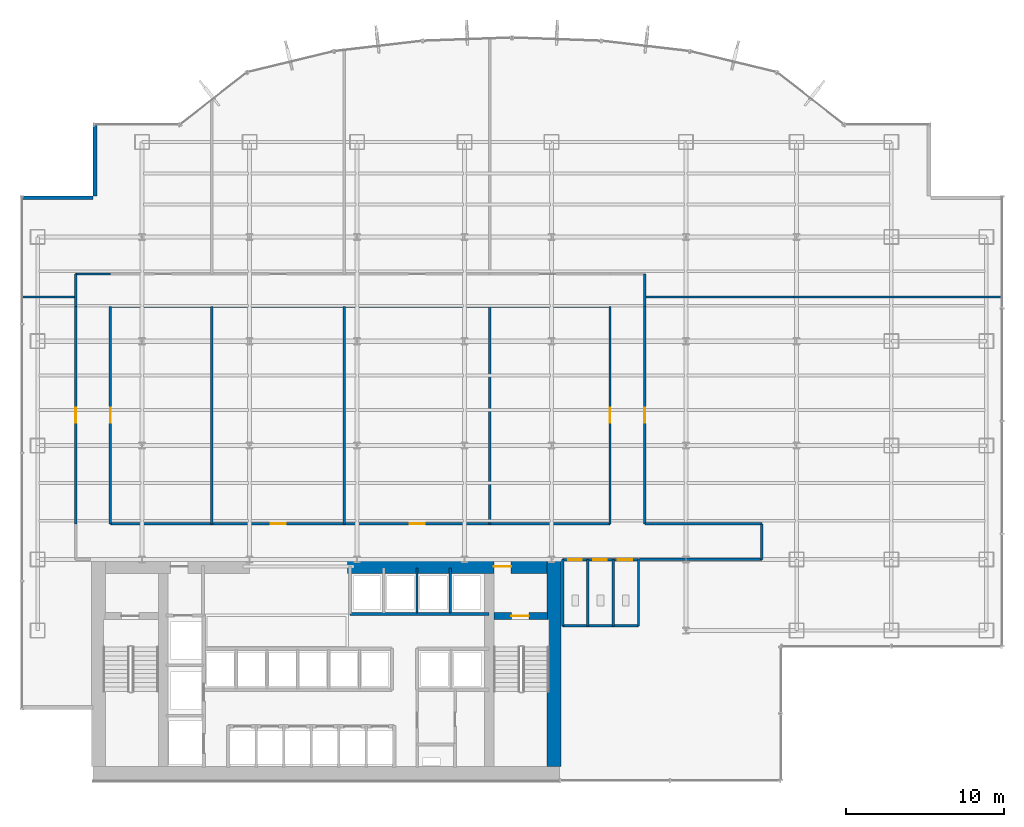
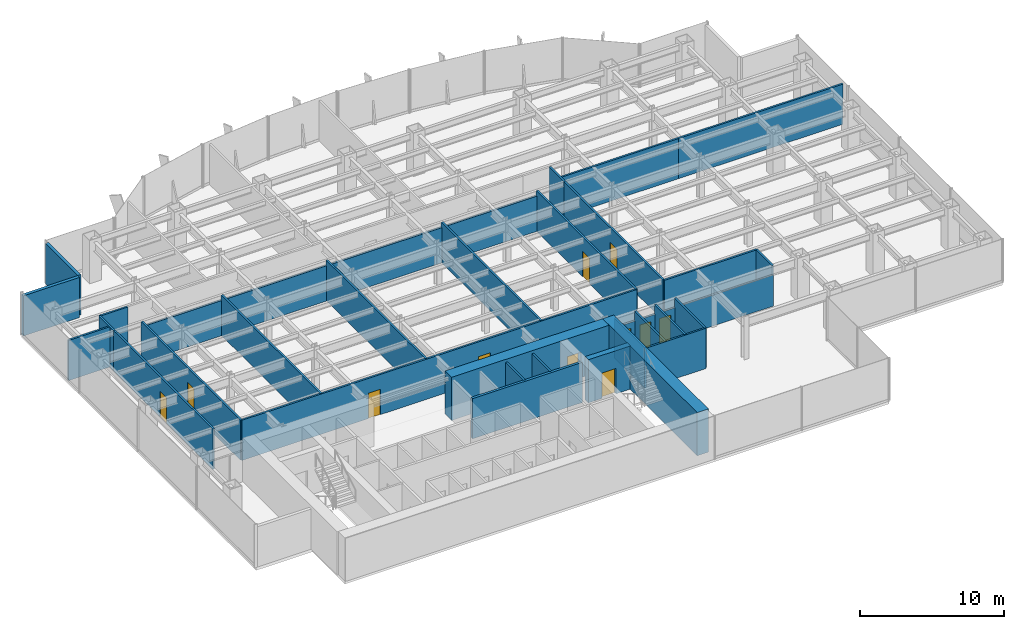
# One storey, part 18 of 22: 32 walls, 11 doors, 11 openings.
"""IFC4 building model written with IfcOpenShell, lengths in metres."""

from ifc_helpers import new_model, si_unit, derived_unit, direction, frame, frame_2d, origin, place, context, subcontext, project, spatial, rectangle, extrude, source, transform, mapped, material, layer, layer_set, type_object, element, fill, save


model = new_model("IFC4")

# Units and contexts
model_context = context("Model", 3, precision=1e-05, world=origin(), true_north=direction((0.0, 1.0)))
body_context = subcontext(model_context, "Body", "Model", "MODEL_VIEW")
ifc_project = project(units=[si_unit("LENGTHUNIT", "METRE"), si_unit("AREAUNIT", "SQUARE_METRE"), si_unit("VOLUMEUNIT", "CUBIC_METRE"), si_unit("PLANEANGLEUNIT", "RADIAN"), si_unit("MASSUNIT", "GRAM", prefix="KILO"), derived_unit("THERMALTRANSMITTANCEUNIT", [(si_unit("POWERUNIT", "WATT"), 1), (si_unit("LENGTHUNIT", "METRE"), -2), (si_unit("THERMODYNAMICTEMPERATUREUNIT", "KELVIN"), -1)])], contexts=[model_context])

# Site, building, storey
site_placement = place(None, origin())
site = spatial("IfcSite", under=ifc_project, at=site_placement, CompositionType="ELEMENT")
building_placement = place(site_placement, origin())
building = spatial("IfcBuilding", under=site, at=building_placement, Name="Skarnbrae Concourse Arena and Tower", CompositionType="ELEMENT")
storey_placement = place(building_placement, frame((0.0, 0.0, 65.35009765625)))
storey = spatial("IfcBuildingStorey", under=building, at=storey_placement, Name="L15", CompositionType="ELEMENT", Elevation=65.35009765625)

# Wall
ifc_material_1 = material(Name="Concrete 70 MPa (C70/85)", Category="concrete")
ifc_layer_1 = layer(ifc_material_1, 0.89990234375)
ifc_layer_set_1 = layer_set([ifc_layer_1], Name="Concrete 70 MPa (C70/85)")
wall_type_1 = type_object("IfcWallType", Name="WALL-CORE-900-C70", PredefinedType="SHEAR", material=ifc_layer_set_1)
shared_shape_1 = source(origin(), body_context, "Body", "SweptSolid", [
    extrude(rectangle(XDim=13.10009765625, YDim=0.89990234375, at=frame_2d((6.550048828125, 0.0))), origin(), (0.0, 0.0, 1.0), 3.64990234375),
])
wall_1_placement = place(storey_placement, frame((33.64990234375, 0.89990234375, 0.0), z_axis=(0.0, 0.0, 1.0), x_axis=(0.0, 1.0, 0.0)))
element("IfcWall", 1, at=wall_1_placement, inside=storey, type_object=wall_type_1, Name="L15 Rear core shear wall CW-E", PredefinedType="SHEAR", context=body_context, shape_type="MappedRepresentation", body=[
    mapped(shared_shape_1, transform((0.0, 0.0, 0.0))),
])

# Wall, opening, door
shared_shape_2 = source(origin(), body_context, "Body", "SweptSolid", [
    extrude(rectangle(XDim=12.599853515625, YDim=0.89990234375, at=frame_2d((6.2998046875, 0.0))), origin(), (0.0, 0.0, 1.0), 3.64990234375),
])
wall_2_placement = place(storey_placement, frame((20.60009765625, 13.550048828125, 0.0), z_axis=(0.0, 0.0, 1.0), x_axis=(1.0, 0.0, 0.0)))
wall_2 = element("IfcWall", 2, at=wall_2_placement, inside=storey, type_object=wall_type_1, Name="L15 Rear core shear wall CW-NE", PredefinedType="SHEAR", context=body_context, shape_type="MappedRepresentation", body=[
    mapped(shared_shape_2, transform((0.0, 0.0, 0.0))),
])
opening_1_placement = place(wall_2_placement, frame((9.25, 0.0, 0.0)))
opening_1 = element("IfcOpeningElement", 3, at=opening_1_placement, cuts=wall_2, Name="Opening DT-03", PredefinedType="OPENING", context=body_context, shape_type="SweptSolid", body=[
    extrude(rectangle(XDim=1.10009765625, YDim=2.14990234375, at=frame_2d((0.550048828125, 1.074951171875))), frame((0.0, 0.4599609375, 0.0), z_axis=(0.0, -1.0, 0.0), x_axis=(1.0, 0.0, 0.0)), (0.0, 0.0, 1.0), 0.919921875),
])
ifc_material_2 = material(Name="Steel CSA G40.21 350W", Category="steel")
door_type_1 = type_object("IfcDoorType", Name="DOOR-FIRE-1100-90M", OperationType="NOTDEFINED", PredefinedType="DOOR", material=ifc_material_2)
shared_shape_3 = source(origin(), body_context, "Body", "SweptSolid", [
    extrude(rectangle(XDim=1.10009765625, YDim=2.14990234375, at=frame_2d((0.550048828125, 1.074951171875))), frame((0.0, 0.02490234375, 0.0), z_axis=(0.0, -1.0, 0.0), x_axis=(1.0, 0.0, 0.0)), (0.0, 0.0, 1.0), 0.050048828125),
])
door_1_placement = place(opening_1_placement, origin())
door_1 = element("IfcDoor", 4, at=door_1_placement, inside=storey, type_object=door_type_1, Name="D-0577 Stair ST-2 Vestibule Door", OperationType="SINGLE_SWING_LEFT", OverallHeight=2.14990234375, OverallWidth=1.10009765625, PredefinedType="DOOR", context=body_context, shape_type="MappedRepresentation", body=[
    mapped(shared_shape_3, transform((0.0, 0.0, 0.0))),
])
fill(opening_1, door_1)

ifc_material_3 = material(Name="Concrete 50 MPa (C50/60)", Category="concrete")
ifc_layer_2 = layer(ifc_material_3, 0.449951171875)
ifc_layer_set_2 = layer_set([ifc_layer_2], Name="Concrete 50 MPa (C50/60)")
wall_type_2 = type_object("IfcWallType", Name="WALL-CORE-450-C50", PredefinedType="SHEAR", material=ifc_layer_set_2)
shared_shape_4 = source(origin(), body_context, "Body", "SweptSolid", [
    extrude(rectangle(XDim=3.389892578125, YDim=0.449951171875, at=frame_2d((1.69482421875, 0.0))), origin(), (0.0, 0.0, 1.0), 3.64990234375),
])
wall_3_placement = place(storey_placement, frame((29.860107421875, 10.419921875, 0.0), z_axis=(0.0, 0.0, 1.0), x_axis=(1.0, 0.0, 0.0)))
wall_3 = element("IfcWall", 5, at=wall_3_placement, inside=storey, type_object=wall_type_2, Name="L15 Rear core shear wall CW-ST2-N", PredefinedType="SHEAR", context=body_context, shape_type="MappedRepresentation", body=[
    mapped(shared_shape_4, transform((0.0, 0.0, 0.0))),
])
opening_2_placement = place(wall_3_placement, frame((1.10009765625, 0.0, 0.0)))
opening_2 = element("IfcOpeningElement", 6, at=opening_2_placement, cuts=wall_3, Name="Opening DT-03", PredefinedType="OPENING", context=body_context, shape_type="SweptSolid", body=[
    extrude(rectangle(XDim=1.10009765625, YDim=2.14990234375, at=frame_2d((0.550048828125, 1.074951171875))), frame((0.0, 0.23486328125, 0.0), z_axis=(0.0, -1.0, 0.0), x_axis=(1.0, 0.0, 0.0)), (0.0, 0.0, 1.0), 0.469970703125),
])
door_2_placement = place(opening_2_placement, frame((1.10009765625, 0.0, 0.0), z_axis=(0.0, 0.0, 1.0), x_axis=(-1.0, 0.0, 0.0)))
door_2 = element("IfcDoor", 7, at=door_2_placement, inside=storey, type_object=door_type_1, Name="D-0575 Stair ST-2 Door", OperationType="SINGLE_SWING_RIGHT", OverallHeight=2.14990234375, OverallWidth=1.10009765625, PredefinedType="DOOR", context=body_context, shape_type="MappedRepresentation", body=[
    mapped(shared_shape_3, transform((0.0, 0.0, 0.0))),
])
fill(opening_2, door_2)

# Walls
ifc_material_4 = material(Name="Precast concrete 40 MPa (C40/50)", Category="concrete")
ifc_layer_3 = layer(ifc_material_4, 0.25)
ifc_layer_set_3 = layer_set([ifc_layer_3], Name="Precast concrete 40 MPa (C40/50)")
wall_type_3 = type_object("IfcWallType", Name="WALL-EXT-SPANDREL-250", PredefinedType="STANDARD", material=ifc_layer_set_3)
shared_shape_5 = source(origin(), body_context, "Body", "SweptSolid", [
    extrude(rectangle(XDim=4.5, YDim=0.25, at=frame_2d((2.25, 0.0))), origin(), (0.0, 0.0, 1.0), 3.39990234375),
])
for number, where, z_axis, x_axis, name in (
    (8, (4.625, 41.5, 0.0), (0.0, 0.0, 1.0), (0.0, -1.0, 0.0), "L15 Notched corner insulated return wall 17"),
    (9, (4.5, 36.875, 0.0), (0.0, 0.0, 1.0), (-1.0, 0.0, 0.0), "L15 Notched corner insulated return wall 18"),
):
    element("IfcWall", number, at=place(storey_placement, frame(where, z_axis=z_axis, x_axis=x_axis)), inside=storey, type_object=wall_type_3, Name=name, PredefinedType="STANDARD", context=body_context, shape_type="MappedRepresentation", body=[
        mapped(shared_shape_5, transform((0.0, 0.0, 0.0))),
    ])
ifc_material_5 = material(Name="Gypsum board on cold-formed steel studs", Category="steel")
ifc_layer_4 = layer(ifc_material_5, 0.199951171875)
ifc_layer_set_4 = layer_set([ifc_layer_4], Name="Gypsum board on cold-formed steel studs")
wall_type_4 = type_object("IfcWallType", Name="WALL-PART-200-2HR", PredefinedType="PARTITIONING", material=ifc_layer_set_4)
shared_shape_6 = source(origin(), body_context, "Body", "SweptSolid", [
    extrude(rectangle(XDim=8.800048828125, YDim=0.199951171875, at=frame_2d((4.39990234375, 0.0))), origin(), (0.0, 0.0, 1.0), 3.39990234375),
])
wall_4_placement = place(storey_placement, frame((20.75, 10.550048828125, 0.0), z_axis=(0.0, 0.0, 1.0), x_axis=(1.0, 0.0, 0.0)))
element("IfcWall", 10, at=wall_4_placement, inside=storey, type_object=wall_type_4, Name="L15 Interior partition wall W-L15-B3N-S", PredefinedType="PARTITIONING", context=body_context, shape_type="MappedRepresentation", body=[
    mapped(shared_shape_6, transform((0.0, 0.0, 0.0))),
])
ifc_layer_5 = layer(ifc_material_5, 0.14990234375)
ifc_layer_set_5 = layer_set([ifc_layer_5], Name="Gypsum board on cold-formed steel studs")
wall_type_5 = type_object("IfcWallType", Name="WALL-PART-150", PredefinedType="PARTITIONING", material=ifc_layer_set_5)
shared_shape_7 = source(origin(), body_context, "Body", "SweptSolid", [
    extrude(rectangle(XDim=2.849853515625, YDim=0.14990234375, at=frame_2d((1.4248046875, 0.0))), origin(), (0.0, 0.0, 1.0), 3.39990234375),
])
for number, where, z_axis, x_axis, name in (
    (11, (24.989990234375, 10.60009765625, 0.0), (0.0, 0.0, 1.0), (0.0, 1.0, 0.0), "L15 Interior partition wall W-L15-B3N-P2"),
    (12, (27.090087890625, 10.60009765625, 0.0), (0.0, 0.0, 1.0), (0.0, 1.0, 0.0), "L15 Interior partition wall W-L15-B3N-P3"),
):
    element("IfcWall", number, at=place(storey_placement, frame(where, z_axis=z_axis, x_axis=x_axis)), inside=storey, type_object=wall_type_5, Name=name, PredefinedType="PARTITIONING", context=body_context, shape_type="MappedRepresentation", body=[
        mapped(shared_shape_7, transform((0.0, 0.0, 0.0))),
    ])

# Wall, openings, doors
shared_shape_8 = source(origin(), body_context, "Body", "SweptSolid", [
    extrude(rectangle(XDim=4.800048828125, YDim=0.14990234375, at=frame_2d((2.39990234375, 0.0))), origin(), (0.0, 0.0, 1.0), 2.625),
])
wall_5_placement = place(storey_placement, frame((34.199951171875, 13.97998046875, 0.0), z_axis=(0.0, 0.0, 1.0), x_axis=(1.0, 0.0, 0.0)))
wall_5 = element("IfcWall", 13, at=wall_5_placement, inside=storey, type_object=wall_type_5, Name="L15 Interior partition wall W-L15-WC-N", PredefinedType="PARTITIONING", context=body_context, shape_type="MappedRepresentation", body=[
    mapped(shared_shape_8, transform((0.0, 0.0, 0.0))),
])
opening_3_placement = place(wall_5_placement, frame((0.35009765625, 0.0, 0.0)))
opening_3 = element("IfcOpeningElement", 14, at=opening_3_placement, cuts=wall_5, Name="Opening DT-06", PredefinedType="OPENING", context=body_context, shape_type="SweptSolid", body=[
    extrude(rectangle(XDim=0.85009765625, YDim=2.10009765625, at=frame_2d((0.425048828125, 1.050048828125))), frame((0.0, 0.0849609375, 0.0), z_axis=(0.0, -1.0, 0.0), x_axis=(1.0, 0.0, 0.0)), (0.0, 0.0, 1.0), 0.169921875),
])
opening_4_placement = place(wall_5_placement, frame((1.949951171875, 0.0, 0.0)))
opening_4 = element("IfcOpeningElement", 15, at=opening_4_placement, cuts=wall_5, Name="Opening DT-06", PredefinedType="OPENING", context=body_context, shape_type="SweptSolid", body=[
    extrude(rectangle(XDim=0.85009765625, YDim=2.10009765625, at=frame_2d((0.425048828125, 1.050048828125))), frame((0.0, 0.0849609375, 0.0), z_axis=(0.0, -1.0, 0.0), x_axis=(1.0, 0.0, 0.0)), (0.0, 0.0, 1.0), 0.169921875),
])
opening_5_placement = place(wall_5_placement, frame((3.5, 0.0, 0.0)))
opening_5 = element("IfcOpeningElement", 16, at=opening_5_placement, cuts=wall_5, Name="Opening DT-05", PredefinedType="OPENING", context=body_context, shape_type="SweptSolid", body=[
    extrude(rectangle(XDim=0.89990234375, YDim=2.10009765625, at=frame_2d((0.449951171875, 1.050048828125))), frame((0.0, 0.0849609375, 0.0), z_axis=(0.0, -1.0, 0.0), x_axis=(1.0, 0.0, 0.0)), (0.0, 0.0, 1.0), 0.169921875),
])
ifc_material_6 = material(Name="Architectural oak veneer timber leaf", Category="wood")
door_type_2 = type_object("IfcDoorType", Name="DOOR-INT-850", OperationType="NOTDEFINED", PredefinedType="DOOR", material=ifc_material_6)
shared_shape_9 = source(origin(), body_context, "Body", "SweptSolid", [
    extrude(rectangle(XDim=0.85009765625, YDim=2.10009765625, at=frame_2d((0.425048828125, 1.050048828125))), frame((0.0, 0.02490234375, 0.0), z_axis=(0.0, -1.0, 0.0), x_axis=(1.0, 0.0, 0.0)), (0.0, 0.0, 1.0), 0.050048828125),
])
door_3_placement = place(opening_3_placement, frame((0.85009765625, 0.0, 0.0), z_axis=(0.0, 0.0, 1.0), x_axis=(-1.0, 0.0, 0.0)))
door_3 = element("IfcDoor", 17, at=door_3_placement, inside=storey, type_object=door_type_2, Name="D-0589 Male Washroom Door", OperationType="SINGLE_SWING_LEFT", OverallHeight=2.10009765625, OverallWidth=0.85009765625, PredefinedType="DOOR", context=body_context, shape_type="MappedRepresentation", body=[
    mapped(shared_shape_9, transform((0.0, 0.0, 0.0))),
])
fill(opening_3, door_3)
door_4_placement = place(opening_4_placement, frame((0.85009765625, 0.0, 0.0), z_axis=(0.0, 0.0, 1.0), x_axis=(-1.0, 0.0, 0.0)))
door_4 = element("IfcDoor", 18, at=door_4_placement, inside=storey, type_object=door_type_2, Name="D-0590 Female Washroom Door", OperationType="SINGLE_SWING_RIGHT", OverallHeight=2.10009765625, OverallWidth=0.85009765625, PredefinedType="DOOR", context=body_context, shape_type="MappedRepresentation", body=[
    mapped(shared_shape_9, transform((0.0, 0.0, 0.0))),
])
fill(opening_4, door_4)
door_type_3 = type_object("IfcDoorType", Name="DOOR-INT-900", OperationType="NOTDEFINED", PredefinedType="DOOR", material=ifc_material_6)
shared_shape_10 = source(origin(), body_context, "Body", "SweptSolid", [
    extrude(rectangle(XDim=0.89990234375, YDim=2.10009765625, at=frame_2d((0.449951171875, 1.050048828125))), frame((0.0, 0.02490234375, 0.0), z_axis=(0.0, -1.0, 0.0), x_axis=(1.0, 0.0, 0.0)), (0.0, 0.0, 1.0), 0.050048828125),
])
door_5_placement = place(opening_5_placement, frame((0.89990234375, 0.0, 0.0), z_axis=(0.0, 0.0, 1.0), x_axis=(-1.0, 0.0, 0.0)))
door_5 = element("IfcDoor", 19, at=door_5_placement, inside=storey, type_object=door_type_3, Name="D-0591 Accessible WC Door", OperationType="SINGLE_SWING_LEFT", OverallHeight=2.10009765625, OverallWidth=0.89990234375, PredefinedType="DOOR", context=body_context, shape_type="MappedRepresentation", body=[
    mapped(shared_shape_10, transform((0.0, 0.0, 0.0))),
])
fill(opening_5, door_5)

# Walls
shared_shape_11 = source(origin(), body_context, "Body", "SweptSolid", [
    extrude(rectangle(XDim=4.800048828125, YDim=0.14990234375, at=frame_2d((2.39990234375, 0.0))), origin(), (0.0, 0.0, 1.0), 3.39990234375),
])
wall_6_placement = place(storey_placement, frame((34.199951171875, 9.800048828125, 0.0), z_axis=(0.0, 0.0, 1.0), x_axis=(1.0, 0.0, 0.0)))
element("IfcWall", 20, at=wall_6_placement, inside=storey, type_object=wall_type_5, Name="L15 Interior partition wall W-L15-WC-S", PredefinedType="PARTITIONING", context=body_context, shape_type="MappedRepresentation", body=[
    mapped(shared_shape_11, transform((0.0, 0.0, 0.0))),
])
shared_shape_12 = source(origin(), body_context, "Body", "SweptSolid", [
    extrude(rectangle(XDim=4.179931640625, YDim=0.14990234375, at=frame_2d((2.08984375, 0.0))), origin(), (0.0, 0.0, 1.0), 3.39990234375),
])
for number, where, z_axis, x_axis, name in (
    (21, (39.0, 9.800048828125, 0.0), (0.0, 0.0, 1.0), (0.0, 1.0, 0.0), "L15 Interior partition wall W-L15-WC-E"),
    (22, (34.199951171875, 9.800048828125, 0.0), (0.0, 0.0, 1.0), (0.0, 1.0, 0.0), "L15 Interior partition wall W-L15-WC-W"),
    (23, (35.800048828125, 9.800048828125, 0.0), (0.0, 0.0, 1.0), (0.0, 1.0, 0.0), "L15 Interior partition wall W-L15-WC-D1"),
    (24, (37.39990234375, 9.800048828125, 0.0), (0.0, 0.0, 1.0), (0.0, 1.0, 0.0), "L15 Interior partition wall W-L15-WC-D2"),
):
    element("IfcWall", number, at=place(storey_placement, frame(where, z_axis=z_axis, x_axis=x_axis)), inside=storey, type_object=wall_type_5, Name=name, PredefinedType="PARTITIONING", context=body_context, shape_type="MappedRepresentation", body=[
        mapped(shared_shape_12, transform((0.0, 0.0, 0.0))),
    ])
ifc_layer_6 = layer(ifc_material_5, 0.14990234375)
ifc_layer_set_6 = layer_set([ifc_layer_6], Name="Gypsum board on cold-formed steel studs")
wall_type_6 = type_object("IfcWallType", Name="WALL-PART-150-1HR", PredefinedType="PARTITIONING", material=ifc_layer_set_6)
shared_shape_13 = source(origin(), body_context, "Body", "SweptSolid", [
    extrude(rectangle(XDim=2.25, YDim=0.14990234375, at=frame_2d((1.125, 0.0))), origin(), (0.0, 0.0, 1.0), 3.39990234375),
])
wall_7_placement = place(storey_placement, frame((46.800048828125, 16.25, 0.0), z_axis=(0.0, 0.0, 1.0), x_axis=(0.0, -1.0, 0.0)))
element("IfcWall", 25, at=wall_7_placement, inside=storey, type_object=wall_type_6, Name="L15 Interior partition wall W-L15-COR-11", PredefinedType="PARTITIONING", context=body_context, shape_type="MappedRepresentation", body=[
    mapped(shared_shape_13, transform((0.0, 0.0, 0.0))),
])
shared_shape_14 = source(origin(), body_context, "Body", "SweptSolid", [
    extrude(rectangle(XDim=2.050048828125, YDim=0.14990234375, at=frame_2d((1.02490234375, 0.0))), origin(), (0.0, 0.0, 1.0), 3.39990234375),
])
for number, where, z_axis, x_axis, name in (
    (26, (3.39990234375, 30.0, 0.0), (0.0, 0.0, 1.0), (0.0, 1.0, 0.0), "L15 Interior partition wall W-L15-COR-04"),
    (27, (39.39990234375, 32.050048828125, 0.0), (0.0, 0.0, 1.0), (0.0, -1.0, 0.0), "L15 Interior partition wall W-L15-COR-08"),
):
    element("IfcWall", number, at=place(storey_placement, frame(where, z_axis=z_axis, x_axis=x_axis)), inside=storey, type_object=wall_type_6, Name=name, PredefinedType="PARTITIONING", context=body_context, shape_type="MappedRepresentation", body=[
        mapped(shared_shape_14, transform((0.0, 0.0, 0.0))),
    ])
shared_shape_15 = source(origin(), body_context, "Body", "SweptSolid", [
    extrude(rectangle(XDim=2.2001953125, YDim=0.14990234375, at=frame_2d((1.10009765625, 0.0))), origin(), (0.0, 0.0, 1.0), 3.39990234375),
])
wall_8_placement = place(storey_placement, frame((3.39990234375, 32.050048828125, 0.0), z_axis=(0.0, 0.0, 1.0), x_axis=(1.0, 0.0, 0.0)))
element("IfcWall", 28, at=wall_8_placement, inside=storey, type_object=wall_type_6, Name="L15 Interior partition wall W-L15-COR-05", PredefinedType="PARTITIONING", context=body_context, shape_type="MappedRepresentation", body=[
    mapped(shared_shape_15, transform((0.0, 0.0, 0.0))),
])
shared_shape_16 = source(origin(), body_context, "Body", "SweptSolid", [
    extrude(rectangle(XDim=7.75, YDim=0.14990234375, at=frame_2d((3.875, 0.0))), origin(), (0.0, 0.0, 1.0), 2.625),
])
wall_9_placement = place(storey_placement, frame((46.800048828125, 14.0, 0.0), z_axis=(0.0, 0.0, 1.0), x_axis=(-1.0, 0.0, 0.0)))
element("IfcWall", 29, at=wall_9_placement, inside=storey, type_object=wall_type_6, Name="L15 Interior partition wall W-L15-COR-12", PredefinedType="PARTITIONING", context=body_context, shape_type="MappedRepresentation", body=[
    mapped(shared_shape_16, transform((0.0, 0.0, 0.0))),
])
shared_shape_17 = source(origin(), body_context, "Body", "SweptSolid", [
    extrude(rectangle(XDim=3.3798828125, YDim=0.14990234375, at=frame_2d((1.68994140625, 0.0))), origin(), (0.0, 0.0, 1.0), 3.39990234375),
])
wall_10_placement = place(storey_placement, frame((0.02001953125, 30.60009765625, 0.0), z_axis=(0.0, 0.0, 1.0), x_axis=(1.0, 0.0, 0.0)))
element("IfcWall", 30, at=wall_10_placement, inside=storey, type_object=wall_type_5, Name="L15 Interior partition wall W-L15-DEM-17", PredefinedType="PARTITIONING", context=body_context, shape_type="MappedRepresentation", body=[
    mapped(shared_shape_17, transform((0.0, 0.0, 0.0))),
])
shared_shape_18 = source(origin(), body_context, "Body", "SweptSolid", [
    extrude(rectangle(XDim=7.400146484375, YDim=0.14990234375, at=frame_2d((3.7001953125, 0.0))), origin(), (0.0, 0.0, 1.0), 3.39990234375),
])
wall_11_placement = place(storey_placement, frame((39.39990234375, 16.25, 0.0), z_axis=(0.0, 0.0, 1.0), x_axis=(1.0, 0.0, 0.0)))
element("IfcWall", 31, at=wall_11_placement, inside=storey, type_object=wall_type_6, Name="L15 Interior partition wall W-L15-COR-10", PredefinedType="PARTITIONING", context=body_context, shape_type="MappedRepresentation", body=[
    mapped(shared_shape_18, transform((0.0, 0.0, 0.0))),
])

# Wall, opening, door
shared_shape_19 = source(origin(), body_context, "Body", "SweptSolid", [
    extrude(rectangle(XDim=13.75, YDim=0.14990234375, at=frame_2d((6.875, 0.0))), origin(), (0.0, 0.0, 1.0), 3.39990234375),
])
wall_12_placement = place(storey_placement, frame((3.39990234375, 16.25, 0.0), z_axis=(0.0, 0.0, 1.0), x_axis=(0.0, 1.0, 0.0)))
wall_12 = element("IfcWall", 32, at=wall_12_placement, inside=storey, type_object=wall_type_6, Name="L15 Interior partition wall W-L15-COR-03", PredefinedType="PARTITIONING", context=body_context, shape_type="MappedRepresentation", body=[
    mapped(shared_shape_19, transform((0.0, 0.0, 0.0))),
])
opening_6_placement = place(wall_12_placement, frame((6.39990234375, 0.0, 0.0)))
opening_6 = element("IfcOpeningElement", 33, at=opening_6_placement, cuts=wall_12, Name="Opening DT-04", PredefinedType="OPENING", context=body_context, shape_type="SweptSolid", body=[
    extrude(rectangle(XDim=0.949951171875, YDim=2.14990234375, at=frame_2d((0.47509765625, 1.074951171875))), frame((0.0, 0.0849609375, 0.0), z_axis=(0.0, -1.0, 0.0), x_axis=(1.0, 0.0, 0.0)), (0.0, 0.0, 1.0), 0.169921875),
])
door_type_4 = type_object("IfcDoorType", Name="DOOR-INT-950-45M", OperationType="NOTDEFINED", PredefinedType="DOOR", material=ifc_material_2)
shared_shape_20 = source(origin(), body_context, "Body", "SweptSolid", [
    extrude(rectangle(XDim=0.949951171875, YDim=2.14990234375, at=frame_2d((0.47509765625, 1.074951171875))), frame((0.0, 0.02490234375, 0.0), z_axis=(0.0, -1.0, 0.0), x_axis=(1.0, 0.0, 0.0)), (0.0, 0.0, 1.0), 0.050048828125),
])
door_6_placement = place(opening_6_placement, origin())
door_6 = element("IfcDoor", 34, at=door_6_placement, inside=storey, type_object=door_type_4, Name="D-0592 L15 Suite Door 01", OperationType="SINGLE_SWING_RIGHT", OverallHeight=2.14990234375, OverallWidth=0.949951171875, PredefinedType="DOOR", context=body_context, shape_type="MappedRepresentation", body=[
    mapped(shared_shape_20, transform((0.0, 0.0, 0.0))),
])
fill(opening_6, door_6)

wall_13_placement = place(storey_placement, frame((39.39990234375, 30.0, 0.0), z_axis=(0.0, 0.0, 1.0), x_axis=(0.0, -1.0, 0.0)))
wall_13 = element("IfcWall", 35, at=wall_13_placement, inside=storey, type_object=wall_type_6, Name="L15 Interior partition wall W-L15-COR-09", PredefinedType="PARTITIONING", context=body_context, shape_type="MappedRepresentation", body=[
    mapped(shared_shape_19, transform((0.0, 0.0, 0.0))),
])
opening_7_placement = place(wall_13_placement, frame((6.39990234375, 0.0, 0.0)))
opening_7 = element("IfcOpeningElement", 36, at=opening_7_placement, cuts=wall_13, Name="Opening DT-04", PredefinedType="OPENING", context=body_context, shape_type="SweptSolid", body=[
    extrude(rectangle(XDim=0.949951171875, YDim=2.14990234375, at=frame_2d((0.47509765625, 1.074951171875))), frame((0.0, 0.0849609375, 0.0), z_axis=(0.0, -1.0, 0.0), x_axis=(1.0, 0.0, 0.0)), (0.0, 0.0, 1.0), 0.169921875),
])
door_7_placement = place(opening_7_placement, origin())
door_7 = element("IfcDoor", 37, at=door_7_placement, inside=storey, type_object=door_type_4, Name="D-0601 L15 Suite Door 10", OperationType="SINGLE_SWING_LEFT", OverallHeight=2.14990234375, OverallWidth=0.949951171875, PredefinedType="DOOR", context=body_context, shape_type="MappedRepresentation", body=[
    mapped(shared_shape_20, transform((0.0, 0.0, 0.0))),
])
fill(opening_7, door_7)

wall_14_placement = place(storey_placement, frame((37.199951171875, 16.25, 0.0), z_axis=(0.0, 0.0, 1.0), x_axis=(0.0, 1.0, 0.0)))
wall_14 = element("IfcWall", 38, at=wall_14_placement, inside=storey, type_object=wall_type_6, Name="L15 Interior partition wall W-L15-COR-14", PredefinedType="PARTITIONING", context=body_context, shape_type="MappedRepresentation", body=[
    mapped(shared_shape_19, transform((0.0, 0.0, 0.0))),
])
opening_8_placement = place(wall_14_placement, frame((6.39990234375, 0.0, 0.0)))
opening_8 = element("IfcOpeningElement", 39, at=opening_8_placement, cuts=wall_14, Name="Opening DT-04", PredefinedType="OPENING", context=body_context, shape_type="SweptSolid", body=[
    extrude(rectangle(XDim=0.949951171875, YDim=2.14990234375, at=frame_2d((0.47509765625, 1.074951171875))), frame((0.0, 0.0849609375, 0.0), z_axis=(0.0, -1.0, 0.0), x_axis=(1.0, 0.0, 0.0)), (0.0, 0.0, 1.0), 0.169921875),
])
door_8_placement = place(opening_8_placement, origin())
door_8 = element("IfcDoor", 40, at=door_8_placement, inside=storey, type_object=door_type_4, Name="D-0599 L15 Suite Door 08", OperationType="SINGLE_SWING_LEFT", OverallHeight=2.14990234375, OverallWidth=0.949951171875, PredefinedType="DOOR", context=body_context, shape_type="MappedRepresentation", body=[
    mapped(shared_shape_20, transform((0.0, 0.0, 0.0))),
])
fill(opening_8, door_8)

wall_15_placement = place(storey_placement, frame((5.60009765625, 30.0, 0.0), z_axis=(0.0, 0.0, 1.0), x_axis=(0.0, -1.0, 0.0)))
wall_15 = element("IfcWall", 41, at=wall_15_placement, inside=storey, type_object=wall_type_6, Name="L15 Interior partition wall W-L15-COR-16", PredefinedType="PARTITIONING", context=body_context, shape_type="MappedRepresentation", body=[
    mapped(shared_shape_19, transform((0.0, 0.0, 0.0))),
])
opening_9_placement = place(wall_15_placement, frame((6.39990234375, 0.0, 0.0)))
opening_9 = element("IfcOpeningElement", 42, at=opening_9_placement, cuts=wall_15, Name="Opening DT-04", PredefinedType="OPENING", context=body_context, shape_type="SweptSolid", body=[
    extrude(rectangle(XDim=0.949951171875, YDim=2.14990234375, at=frame_2d((0.47509765625, 1.074951171875))), frame((0.0, 0.0849609375, 0.0), z_axis=(0.0, -1.0, 0.0), x_axis=(1.0, 0.0, 0.0)), (0.0, 0.0, 1.0), 0.169921875),
])
door_9_placement = place(opening_9_placement, origin())
door_9 = element("IfcDoor", 43, at=door_9_placement, inside=storey, type_object=door_type_4, Name="D-0594 L15 Suite Door 03", OperationType="SINGLE_SWING_RIGHT", OverallHeight=2.14990234375, OverallWidth=0.949951171875, PredefinedType="DOOR", context=body_context, shape_type="MappedRepresentation", body=[
    mapped(shared_shape_20, transform((0.0, 0.0, 0.0))),
])
fill(opening_9, door_9)

# Walls
for number, where, z_axis, x_axis, name in (
    (44, (12.0, 30.0, 0.0), (0.0, 0.0, 1.0), (0.0, -1.0, 0.0), "L15 Interior partition wall W-L15-DEM-18"),
    (45, (20.39990234375, 30.0, 0.0), (0.0, 0.0, 1.0), (0.0, -1.0, 0.0), "L15 Interior partition wall W-L15-DEM-20"),
    (46, (29.60009765625, 30.0, 0.0), (0.0, 0.0, 1.0), (0.0, -1.0, 0.0), "L15 Interior partition wall W-L15-DEM-22"),
):
    element("IfcWall", number, at=place(storey_placement, frame(where, z_axis=z_axis, x_axis=x_axis)), inside=storey, type_object=wall_type_5, Name=name, PredefinedType="PARTITIONING", context=body_context, shape_type="MappedRepresentation", body=[
        mapped(shared_shape_19, transform((0.0, 0.0, 0.0))),
    ])

# Wall, openings, doors
shared_shape_21 = source(origin(), body_context, "Body", "SweptSolid", [
    extrude(rectangle(XDim=31.599853515625, YDim=0.14990234375, at=frame_2d((15.7998046875, 0.0))), origin(), (0.0, 0.0, 1.0), 3.39990234375),
])
wall_16_placement = place(storey_placement, frame((5.60009765625, 16.25, 0.0), z_axis=(0.0, 0.0, 1.0), x_axis=(1.0, 0.0, 0.0)))
wall_16 = element("IfcWall", 47, at=wall_16_placement, inside=storey, type_object=wall_type_6, Name="L15 Interior partition wall W-L15-COR-13", PredefinedType="PARTITIONING", context=body_context, shape_type="MappedRepresentation", body=[
    mapped(shared_shape_21, transform((0.0, 0.0, 0.0))),
])
opening_10_placement = place(wall_16_placement, frame((10.125, 0.0, 0.0)))
opening_10 = element("IfcOpeningElement", 48, at=opening_10_placement, cuts=wall_16, Name="Opening DT-04", PredefinedType="OPENING", context=body_context, shape_type="SweptSolid", body=[
    extrude(rectangle(XDim=0.949951171875, YDim=2.14990234375, at=frame_2d((0.47509765625, 1.074951171875))), frame((0.0, 0.0849609375, 0.0), z_axis=(0.0, -1.0, 0.0), x_axis=(1.0, 0.0, 0.0)), (0.0, 0.0, 1.0), 0.169921875),
])
opening_11_placement = place(wall_16_placement, frame((18.925048828125, 0.0, 0.0)))
opening_11 = element("IfcOpeningElement", 49, at=opening_11_placement, cuts=wall_16, Name="Opening DT-04", PredefinedType="OPENING", context=body_context, shape_type="SweptSolid", body=[
    extrude(rectangle(XDim=0.949951171875, YDim=2.14990234375, at=frame_2d((0.47509765625, 1.074951171875))), frame((0.0, 0.0849609375, 0.0), z_axis=(0.0, -1.0, 0.0), x_axis=(1.0, 0.0, 0.0)), (0.0, 0.0, 1.0), 0.169921875),
])
door_10_placement = place(opening_10_placement, origin())
door_10 = element("IfcDoor", 50, at=door_10_placement, inside=storey, type_object=door_type_4, Name="D-0595 L15 Suite Door 04", OperationType="SINGLE_SWING_LEFT", OverallHeight=2.14990234375, OverallWidth=0.949951171875, PredefinedType="DOOR", context=body_context, shape_type="MappedRepresentation", body=[
    mapped(shared_shape_20, transform((0.0, 0.0, 0.0))),
])
fill(opening_10, door_10)
door_11_placement = place(opening_11_placement, origin())
door_11 = element("IfcDoor", 51, at=door_11_placement, inside=storey, type_object=door_type_4, Name="D-0597 L15 Suite Door 06", OperationType="SINGLE_SWING_LEFT", OverallHeight=2.14990234375, OverallWidth=0.949951171875, PredefinedType="DOOR", context=body_context, shape_type="MappedRepresentation", body=[
    mapped(shared_shape_20, transform((0.0, 0.0, 0.0))),
])
fill(opening_11, door_11)

# Walls
shared_shape_22 = source(origin(), body_context, "Body", "SweptSolid", [
    extrude(rectangle(XDim=31.599853515625, YDim=0.14990234375, at=frame_2d((15.7998046875, 0.0))), origin(), (0.0, 0.0, 1.0), 2.977783203125),
])
wall_17_placement = place(storey_placement, frame((37.199951171875, 30.0, 0.0), z_axis=(0.0, 0.0, 1.0), x_axis=(-1.0, 0.0, 0.0)))
element("IfcWall", 52, at=wall_17_placement, inside=storey, type_object=wall_type_6, Name="L15 Interior partition wall W-L15-COR-15", PredefinedType="PARTITIONING", context=body_context, shape_type="MappedRepresentation", body=[
    mapped(shared_shape_22, transform((0.0, 0.0, 0.0))),
])
shared_shape_23 = source(origin(), body_context, "Body", "SweptSolid", [
    extrude(rectangle(XDim=13.179931640625, YDim=0.14990234375, at=frame_2d((6.58984375, 0.0))), origin(), (0.0, 0.0, 1.0), 3.39990234375),
])
wall_18_placement = place(storey_placement, frame((61.97998046875, 30.60009765625, 0.0), z_axis=(0.0, 0.0, 1.0), x_axis=(-1.0, 0.0, 0.0)))
element("IfcWall", 53, at=wall_18_placement, inside=storey, type_object=wall_type_5, Name="L15 Interior partition wall W-L15-DEM-24", PredefinedType="PARTITIONING", context=body_context, shape_type="MappedRepresentation", body=[
    mapped(shared_shape_23, transform((0.0, 0.0, 0.0))),
])
shared_shape_24 = source(origin(), body_context, "Body", "SweptSolid", [
    extrude(rectangle(XDim=9.400146484375, YDim=0.14990234375, at=frame_2d((4.7001953125, 0.0))), origin(), (0.0, 0.0, 1.0), 3.39990234375),
])
wall_19_placement = place(storey_placement, frame((48.800048828125, 30.60009765625, 0.0), z_axis=(0.0, 0.0, 1.0), x_axis=(-1.0, 0.0, 0.0)))
element("IfcWall", 54, at=wall_19_placement, inside=storey, type_object=wall_type_5, Name="L15 Interior partition wall W-L15-DEM-25", PredefinedType="PARTITIONING", context=body_context, shape_type="MappedRepresentation", body=[
    mapped(shared_shape_24, transform((0.0, 0.0, 0.0))),
])

save(model, "model.ifc")
